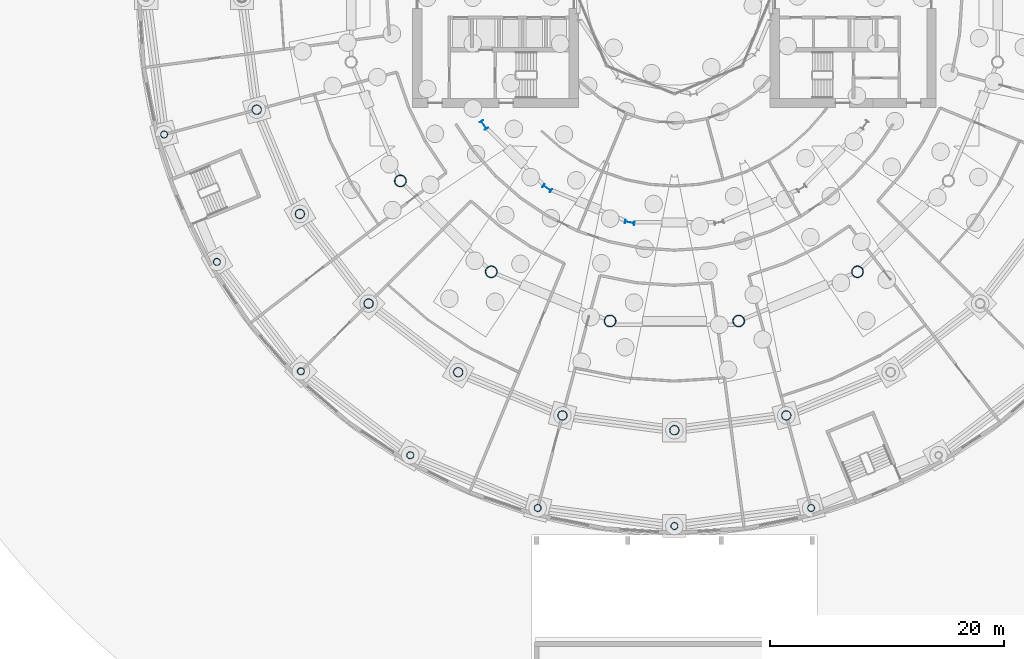
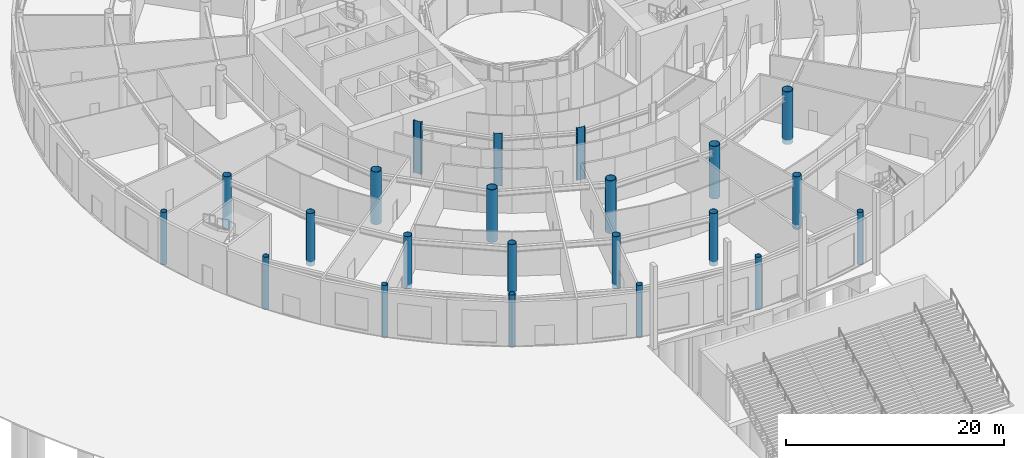
# One storey, part 4 of 41: 22 columns.
"""IFC4 building model written with IfcOpenShell, lengths in metres."""

from ifc_helpers import new_model, si_unit, direction, frame, origin, origin_2d, place, context, subcontext, project, spatial, hollow_circle, i_section, extrude, material, material_profile, profile_set, type_object, element, save


model = new_model("IFC4")

# Units and contexts
model_context = context("Model", 3, precision=1e-05, world=origin(), true_north=direction((0.0, 1.0)))
body_context = subcontext(model_context, "Body", "Model", "MODEL_VIEW")
ifc_project = project(units=[si_unit("LENGTHUNIT", "METRE"), si_unit("AREAUNIT", "SQUARE_METRE"), si_unit("VOLUMEUNIT", "CUBIC_METRE"), si_unit("PLANEANGLEUNIT", "RADIAN"), si_unit("MASSUNIT", "GRAM", prefix="KILO")], contexts=[model_context])

# Site, building, storey
site_placement = place(None, origin())
site = spatial("IfcSite", under=ifc_project, at=site_placement, CompositionType="ELEMENT")
building_placement = place(site_placement, origin())
building = spatial("IfcBuilding", under=site, at=building_placement, Name="Maasbend Ring Residences", CompositionType="ELEMENT")
storey_placement = place(building_placement, origin())
storey = spatial("IfcBuildingStorey", under=building, at=storey_placement, Name="L00", CompositionType="ELEMENT", Elevation=0.0)

# Columns
ifc_material_1 = material(Name="Composite concrete-filled steel tube S460NH / C80/95", Category="concrete")
ifc_material_profile_1 = material_profile(ifc_material_1, hollow_circle(Radius=0.508056640625, WallThickness=0.050048828125, at=origin_2d()), Name="Composite tube column CHS 1016x50")
ifc_profile_set_1 = profile_set([ifc_material_profile_1], Name="Composite concrete-filled steel tube S460NH / C80/95")
column_type_1 = type_object("IfcColumnType", Name="Composite tube column CHS 1016x50", PredefinedType="COLUMN", material=ifc_profile_set_1)
for number, where, z_axis, x_axis, name in (
    (1, (-23.447509765625, -15.6669921875, -0.5), (0.0, 0.0, 1.0), (1.0, 0.0, 0.0), "Outer column R10"),
    (2, (-15.6669921875, -23.447509765625, -0.5), (0.0, 0.0, 1.0), (1.0, 0.0, 0.0), "Outer column R11"),
    (3, (-5.50146484375, -27.658203125, -0.5), (0.0, 0.0, 1.0), (1.0, 0.0, 0.0), "Outer column R12"),
    (4, (5.50146484375, -27.658203125, -0.5), (0.0, 0.0, 1.0), (1.0, 0.0, 0.0), "Outer column R13"),
    (5, (15.6669921875, -23.447509765625, -0.5), (0.0, 0.0, 1.0), (1.0, 0.0, 0.0), "Outer column R14"),
):
    element("IfcColumn", number, at=place(storey_placement, frame(where, z_axis=z_axis, x_axis=x_axis)), inside=storey, type_object=column_type_1, Name=name, PredefinedType="COLUMN", context=body_context, shape_type="SweptSolid", body=[
        extrude(hollow_circle(Radius=0.508056640625, WallThickness=0.050048828125, at=origin_2d()), origin(), (0.0, 0.0, 1.0), 5.89990234375),
    ])
ifc_material_2 = material(Name="Composite concrete-filled steel tube S460NH / C80/95", Category="concrete")
ifc_material_profile_2 = material_profile(ifc_material_2, hollow_circle(Radius=0.304931640625, WallThickness=0.02490234375, at=origin_2d()), Name="Composite tube column CHS 610x25")
ifc_profile_set_2 = profile_set([ifc_material_profile_2], Name="Composite concrete-filled steel tube S460NH / C80/95")
column_type_2 = type_object("IfcColumnType", Name="Composite tube column CHS 610x25", PredefinedType="COLUMN", material=ifc_profile_set_2)
for number, where, z_axis, x_axis, name in (
    (6, (-43.659912109375, -11.698486328125, -0.5), (0.0, 0.0, 1.0), (1.0, 0.0, 0.0), "Deck edge column B14"),
    (7, (-39.144287109375, -22.60009765625, -0.5), (0.0, 0.0, 1.0), (1.0, 0.0, 0.0), "Deck edge column B15"),
    (8, (-31.961181640625, -31.961181640625, -0.5), (0.0, 0.0, 1.0), (1.0, 0.0, 0.0), "Deck edge column B16"),
    (9, (-22.60009765625, -39.144287109375, -0.5), (0.0, 0.0, 1.0), (1.0, 0.0, 0.0), "Deck edge column B17"),
    (10, (-11.698486328125, -43.659912109375, -0.5), (0.0, 0.0, 1.0), (1.0, 0.0, 0.0), "Deck edge column B18"),
    (11, (0.0, -45.199951171875, -0.5), (0.0, 0.0, 1.0), (1.0, 0.0, 0.0), "Deck edge column B19"),
    (12, (11.698486328125, -43.659912109375, -0.5), (0.0, 0.0, 1.0), (1.0, 0.0, 0.0), "Deck edge column B20"),
):
    element("IfcColumn", number, at=place(storey_placement, frame(where, z_axis=z_axis, x_axis=x_axis)), inside=storey, type_object=column_type_2, Name=name, PredefinedType="COLUMN", context=body_context, shape_type="SweptSolid", body=[
        extrude(hollow_circle(Radius=0.304931640625, WallThickness=0.02490234375, at=origin_2d()), origin(), (0.0, 0.0, 1.0), 5.89990234375),
    ])
ifc_material_3 = material(Name="Composite concrete-filled steel tube S460NH / C80/95", Category="concrete")
ifc_material_profile_3 = material_profile(ifc_material_3, hollow_circle(Radius=0.406494140625, WallThickness=0.030029296875, at=origin_2d()), Name="Composite tube column CHS 813x30")
ifc_profile_set_3 = profile_set([ifc_material_profile_3], Name="Composite concrete-filled steel tube S460NH / C80/95")
column_type_3 = type_object("IfcColumnType", Name="Composite tube column CHS 813x30", PredefinedType="COLUMN", material=ifc_profile_set_3)
for number, where, z_axis, x_axis, name in (
    (13, (-35.7392578125, -9.576416015625, -0.5), (0.0, 0.0, 1.0), (1.0, 0.0, 0.0), "Podium column B14"),
    (14, (-32.04296875, -18.5, -0.5), (0.0, 0.0, 1.0), (1.0, 0.0, 0.0), "Podium column B15"),
    (15, (-26.1630859375, -26.1630859375, -0.5), (0.0, 0.0, 1.0), (1.0, 0.0, 0.0), "Podium column B16"),
    (16, (-18.5, -32.04296875, -0.5), (0.0, 0.0, 1.0), (1.0, 0.0, 0.0), "Podium column B17"),
    (17, (-9.576416015625, -35.7392578125, -0.5), (0.0, 0.0, 1.0), (1.0, 0.0, 0.0), "Podium column B18"),
    (18, (0.0, -37.0, -0.5), (0.0, 0.0, 1.0), (1.0, 0.0, 0.0), "Podium column B19"),
    (19, (9.576416015625, -35.7392578125, -0.5), (0.0, 0.0, 1.0), (1.0, 0.0, 0.0), "Podium column B20"),
):
    element("IfcColumn", number, at=place(storey_placement, frame(where, z_axis=z_axis, x_axis=x_axis)), inside=storey, type_object=column_type_3, Name=name, PredefinedType="COLUMN", context=body_context, shape_type="SweptSolid", body=[
        extrude(hollow_circle(Radius=0.406494140625, WallThickness=0.030029296875, at=origin_2d()), origin(), (0.0, 0.0, 1.0), 5.89990234375),
    ])
ifc_material_4 = material(Name="Steel S460M", Category="steel")
ifc_material_profile_4 = material_profile(ifc_material_4, i_section(OverallWidth=0.302978515625, OverallDepth=0.81396484375, WebThickness=0.02099609375, FlangeThickness=0.0400390625, FilletRadius=0.030029296875, at=origin_2d()), Name="HEM 800")
ifc_profile_set_4 = profile_set([ifc_material_profile_4], Name="Steel S460M")
column_type_4 = type_object("IfcColumnType", Name="Steel column HEM 800", PredefinedType="COLUMN", material=ifc_profile_set_4)
for number, where, z_axis, x_axis, name in (
    (20, (-16.296875, -10.88916015625, -0.5), (0.0, 0.0, 1.0), (-0.831469612303, -0.55557023302, 0.0), "Corridor ring column R10"),
    (21, (-10.88916015625, -16.296875, -0.5), (0.0, 0.0, 1.0), (-0.55557023302, -0.831469612303, 0.0), "Corridor ring column R11"),
    (22, (-3.82373046875, -19.223388671875, -0.5), (0.0, 0.0, 1.0), (-0.195090322016, -0.980785280403, 0.0), "Corridor ring column R12"),
):
    element("IfcColumn", number, at=place(storey_placement, frame(where, z_axis=z_axis, x_axis=x_axis)), inside=storey, type_object=column_type_4, Name=name, PredefinedType="COLUMN", context=body_context, shape_type="SweptSolid", body=[
        extrude(i_section(OverallWidth=0.302978515625, OverallDepth=0.81396484375, WebThickness=0.02099609375, FlangeThickness=0.0400390625, FilletRadius=0.030029296875, at=origin_2d()), origin(), (0.0, 0.0, 1.0), 5.89990234375),
    ])

save(model, "model.ifc")
